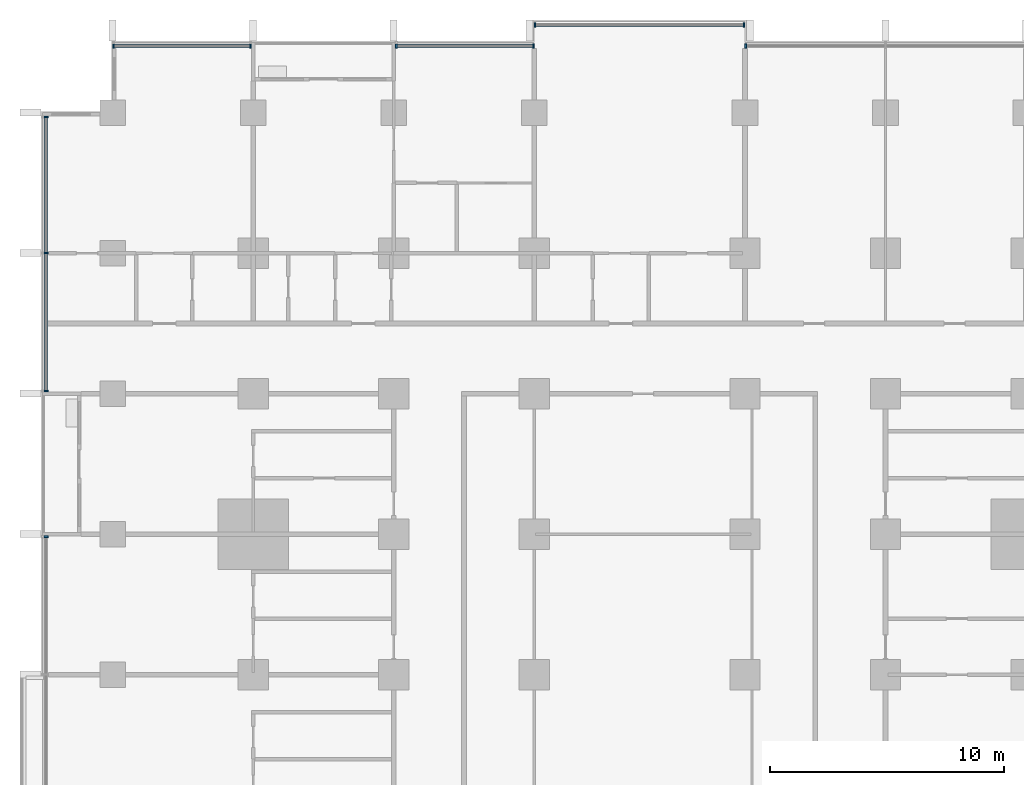
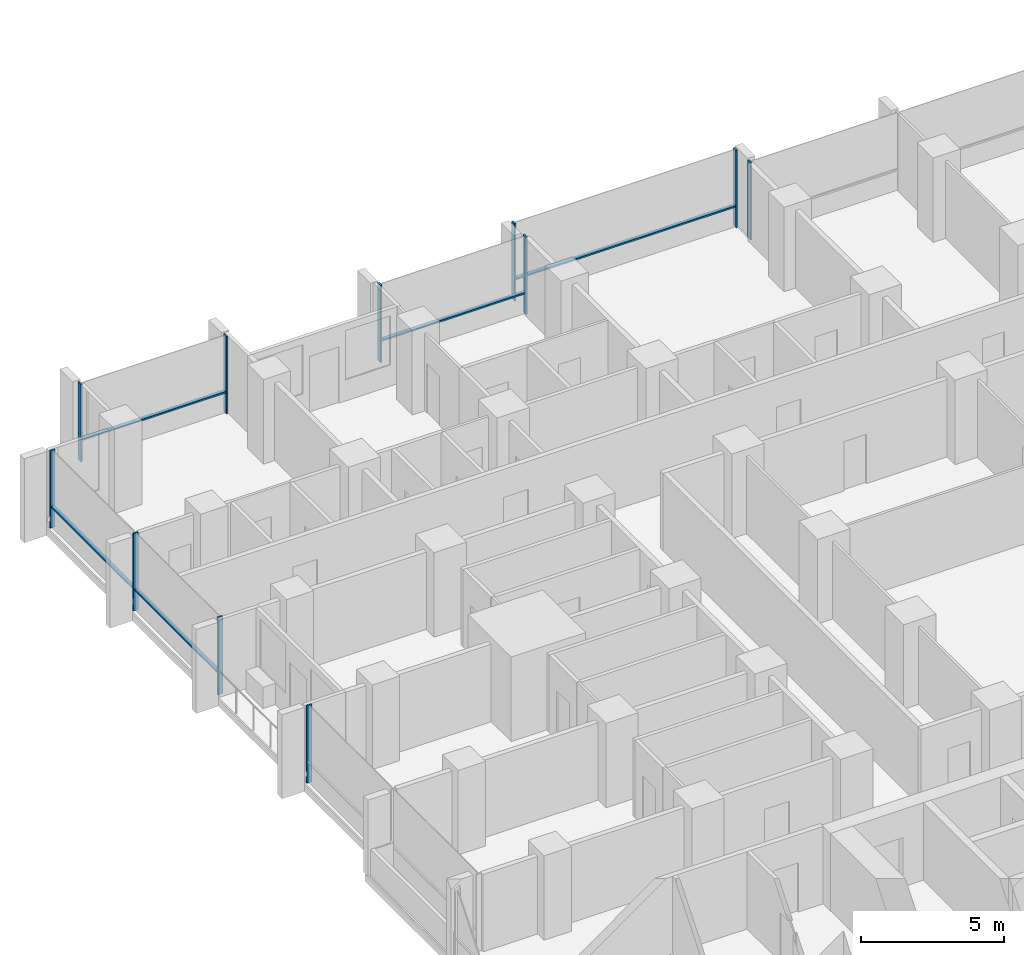
# One storey, part 4 of 17: 16 members, 6 elements without a shape of their own.
"""IFC4 building model written with IfcOpenShell, lengths in metres."""

from ifc_helpers import new_model, si_unit, direction, frame, origin, origin_2d, place, context, subcontext, project, spatial, rectangle, extrude, material, material_profile, profile_set, type_object, element, aggregate, save


model = new_model("IFC4")

# Units and contexts
model_context = context("Model", 3, precision=1e-05, world=origin(), true_north=direction((0.0, 1.0)))
body_context = subcontext(model_context, "Body", "Model", "MODEL_VIEW")
ifc_project = project(units=[si_unit("LENGTHUNIT", "METRE"), si_unit("AREAUNIT", "SQUARE_METRE"), si_unit("VOLUMEUNIT", "CUBIC_METRE"), si_unit("PLANEANGLEUNIT", "RADIAN"), si_unit("MASSUNIT", "GRAM", prefix="KILO")], contexts=[model_context])

# Site, building, storey
site_placement = place(None, origin())
site = spatial("IfcSite", under=ifc_project, at=site_placement, CompositionType="ELEMENT")
building_placement = place(site_placement, origin())
building = spatial("IfcBuilding", under=site, at=building_placement, Name="Finial Court Residences", CompositionType="ELEMENT")
storey_placement = place(building_placement, frame((0.0, 0.0, 61.300048828125)))
storey = spatial("IfcBuildingStorey", under=building, at=storey_placement, Name="L14", CompositionType="ELEMENT", Elevation=61.300048828125)

# Curtain wall, members
ifc_material = material(Name="Bronze anodised aluminium", Category="aluminium")
curtain_wall_type = type_object("IfcCurtainWallType", Name="Unitised curtain wall, lower and middle zones", PredefinedType="NOTDEFINED", material=ifc_material)
curtain_wall_1_placement = place(storey_placement, origin())
curtain_wall_1 = element("IfcCurtainWall", 1, at=curtain_wall_1_placement, inside=storey, type_object=curtain_wall_type, Name="E-L14-CW-N1", PredefinedType="NOTDEFINED")
ifc_material_profile_1 = material_profile(ifc_material, rectangle(XDim=0.199951171875, YDim=0.06494140625, at=origin_2d()), Name="CW1 mullion 65 x 200")
ifc_profile_set_1 = profile_set([ifc_material_profile_1], Name="Bronze anodised aluminium")
member_type_1 = type_object("IfcMemberType", Name="CW1 mullion 65 x 200", PredefinedType="MULLION", material=ifc_profile_set_1)
member_1_placement = place(storey_placement, frame((-22.467529296875, 28.35009765625, 0.0), z_axis=(0.0, 0.0, 1.0), x_axis=(0.0, 1.0, 0.0)))
member_1 = element("IfcMember", 2, at=member_1_placement, type_object=member_type_1, Name="CW1 mullion 1", PredefinedType="MULLION", context=body_context, shape_type="SweptSolid", body=[
    extrude(rectangle(XDim=0.199951171875, YDim=0.06494140625, at=origin_2d()), origin(), (0.0, 0.0, 1.0), 3.300048828125),
])
member_2_placement = place(storey_placement, frame((-16.607421875, 28.35009765625, 0.0), z_axis=(0.0, 0.0, 1.0), x_axis=(0.0, 1.0, 0.0)))
member_2 = element("IfcMember", 3, at=member_2_placement, type_object=member_type_1, Name="CW1 mullion 2", PredefinedType="MULLION", context=body_context, shape_type="SweptSolid", body=[
    extrude(rectangle(XDim=0.199951171875, YDim=0.06494140625, at=origin_2d()), origin(), (0.0, 0.0, 1.0), 3.300048828125),
])

curtain_wall_2_placement = place(storey_placement, origin())
curtain_wall_2 = element("IfcCurtainWall", 4, at=curtain_wall_2_placement, inside=storey, type_object=curtain_wall_type, Name="E-L14-CW-N2", PredefinedType="NOTDEFINED")
member_3_placement = place(storey_placement, frame((-10.392578125, 28.35009765625, 0.0), z_axis=(0.0, 0.0, 1.0), x_axis=(0.0, 1.0, 0.0)))
member_3 = element("IfcMember", 5, at=member_3_placement, type_object=member_type_1, Name="CW1 mullion 1", PredefinedType="MULLION", context=body_context, shape_type="SweptSolid", body=[
    extrude(rectangle(XDim=0.199951171875, YDim=0.06494140625, at=origin_2d()), origin(), (0.0, 0.0, 1.0), 3.300048828125),
])
member_4_placement = place(storey_placement, frame((-4.532470703125, 28.35009765625, 0.0), z_axis=(0.0, 0.0, 1.0), x_axis=(0.0, 1.0, 0.0)))
member_4 = element("IfcMember", 6, at=member_4_placement, type_object=member_type_1, Name="CW1 mullion 2", PredefinedType="MULLION", context=body_context, shape_type="SweptSolid", body=[
    extrude(rectangle(XDim=0.199951171875, YDim=0.06494140625, at=origin_2d()), origin(), (0.0, 0.0, 1.0), 3.300048828125),
])

curtain_wall_3_placement = place(storey_placement, origin())
curtain_wall_3 = element("IfcCurtainWall", 7, at=curtain_wall_3_placement, inside=storey, type_object=curtain_wall_type, Name="E-L14-CW-N3", PredefinedType="NOTDEFINED")
member_5_placement = place(storey_placement, frame((-4.467529296875, 29.25, 0.0), z_axis=(0.0, 0.0, 1.0), x_axis=(0.0, 1.0, 0.0)))
member_5 = element("IfcMember", 8, at=member_5_placement, type_object=member_type_1, Name="CW1 mullion 1", PredefinedType="MULLION", context=body_context, shape_type="SweptSolid", body=[
    extrude(rectangle(XDim=0.199951171875, YDim=0.06494140625, at=origin_2d()), origin(), (0.0, 0.0, 1.0), 3.300048828125),
])
member_6_placement = place(storey_placement, frame((4.467529296875, 29.25, 0.0), z_axis=(0.0, 0.0, 1.0), x_axis=(0.0, 1.0, 0.0)))
member_6 = element("IfcMember", 9, at=member_6_placement, type_object=member_type_1, Name="CW1 mullion 2", PredefinedType="MULLION", context=body_context, shape_type="SweptSolid", body=[
    extrude(rectangle(XDim=0.199951171875, YDim=0.06494140625, at=origin_2d()), origin(), (0.0, 0.0, 1.0), 3.300048828125),
])

# Curtain wall, member
curtain_wall_4_placement = place(storey_placement, origin())
curtain_wall_4 = element("IfcCurtainWall", 10, at=curtain_wall_4_placement, inside=storey, type_object=curtain_wall_type, Name="E-L14-CW-N4", PredefinedType="NOTDEFINED")
member_7_placement = place(storey_placement, frame((4.532470703125, 28.35009765625, 0.0), z_axis=(0.0, 0.0, 1.0), x_axis=(0.0, 1.0, 0.0)))
member_7 = element("IfcMember", 11, at=member_7_placement, type_object=member_type_1, Name="CW1 mullion 1", PredefinedType="MULLION", context=body_context, shape_type="SweptSolid", body=[
    extrude(rectangle(XDim=0.199951171875, YDim=0.06494140625, at=origin_2d()), origin(), (0.0, 0.0, 1.0), 3.300048828125),
])
aggregate(curtain_wall_4, [member_7])

curtain_wall_5_placement = place(storey_placement, origin())
curtain_wall_5 = element("IfcCurtainWall", 12, at=curtain_wall_5_placement, inside=storey, type_object=curtain_wall_type, Name="E-L14-CW-W12", PredefinedType="NOTDEFINED")
member_8_placement = place(storey_placement, frame((-25.35009765625, 7.392578125, 0.0), z_axis=(0.0, 0.0, 1.0), x_axis=(-1.0, 0.0, 0.0)))
member_8 = element("IfcMember", 13, at=member_8_placement, type_object=member_type_1, Name="CW1 mullion 3", PredefinedType="MULLION", context=body_context, shape_type="SweptSolid", body=[
    extrude(rectangle(XDim=0.199951171875, YDim=0.06494140625, at=origin_2d()), origin(), (0.0, 0.0, 1.0), 3.300048828125),
])
aggregate(curtain_wall_5, [member_8])

# Curtain wall, members
curtain_wall_6_placement = place(storey_placement, origin())
curtain_wall_6 = element("IfcCurtainWall", 14, at=curtain_wall_6_placement, inside=storey, type_object=curtain_wall_type, Name="E-L14-CW-W13", PredefinedType="NOTDEFINED")
member_9_placement = place(storey_placement, frame((-25.35009765625, 13.607421875, 0.0), z_axis=(0.0, 0.0, 1.0), x_axis=(-1.0, 0.0, 0.0)))
member_9 = element("IfcMember", 15, at=member_9_placement, type_object=member_type_1, Name="CW1 mullion 1", PredefinedType="MULLION", context=body_context, shape_type="SweptSolid", body=[
    extrude(rectangle(XDim=0.199951171875, YDim=0.06494140625, at=origin_2d()), origin(), (0.0, 0.0, 1.0), 3.300048828125),
])
member_10_placement = place(storey_placement, frame((-25.35009765625, 19.5, 0.0), z_axis=(0.0, 0.0, 1.0), x_axis=(-1.0, 0.0, 0.0)))
member_10 = element("IfcMember", 16, at=member_10_placement, type_object=member_type_1, Name="CW1 mullion 2", PredefinedType="MULLION", context=body_context, shape_type="SweptSolid", body=[
    extrude(rectangle(XDim=0.199951171875, YDim=0.06494140625, at=origin_2d()), origin(), (0.0, 0.0, 1.0), 3.300048828125),
])
member_11_placement = place(storey_placement, frame((-25.35009765625, 25.3173828125, 0.0), z_axis=(0.0, 0.0, 1.0), x_axis=(-1.0, 0.0, 0.0)))
member_11 = element("IfcMember", 17, at=member_11_placement, type_object=member_type_1, Name="CW1 mullion 3", PredefinedType="MULLION", context=body_context, shape_type="SweptSolid", body=[
    extrude(rectangle(XDim=0.199951171875, YDim=0.06494140625, at=origin_2d()), origin(), (0.0, 0.0, 1.0), 3.300048828125),
])

# Member
ifc_material_profile_2 = material_profile(ifc_material, rectangle(XDim=0.14990234375, YDim=0.06494140625, at=origin_2d()), Name="CW1 transom 65 x 150")
ifc_profile_set_2 = profile_set([ifc_material_profile_2], Name="Bronze anodised aluminium")
member_type_2 = type_object("IfcMemberType", Name="CW1 transom 65 x 150", PredefinedType="USERDEFINED", material=ifc_profile_set_2)
member_12_placement = place(storey_placement, frame((-22.43505859375, 28.35009765625, 0.89990234375), z_axis=(1.0, 0.0, 0.0), x_axis=(0.0, 1.0, 0.0)))
member_12 = element("IfcMember", 18, at=member_12_placement, type_object=member_type_2, Name="CW1 transom 1.1", ObjectType="TRANSOM", PredefinedType="USERDEFINED", context=body_context, shape_type="SweptSolid", body=[
    extrude(rectangle(XDim=0.14990234375, YDim=0.06494140625, at=origin_2d()), origin(), (0.0, 0.0, 1.0), 5.795166015625),
])

aggregate(curtain_wall_1, [member_1, member_2, member_12])

member_13_placement = place(storey_placement, frame((-10.360107421875, 28.35009765625, 0.89990234375), z_axis=(1.0, 0.0, 0.0), x_axis=(0.0, 1.0, 0.0)))
member_13 = element("IfcMember", 19, at=member_13_placement, type_object=member_type_2, Name="CW1 transom 1.1", ObjectType="TRANSOM", PredefinedType="USERDEFINED", context=body_context, shape_type="SweptSolid", body=[
    extrude(rectangle(XDim=0.14990234375, YDim=0.06494140625, at=origin_2d()), origin(), (0.0, 0.0, 1.0), 5.795166015625),
])

aggregate(curtain_wall_2, [member_3, member_4, member_13])

member_14_placement = place(storey_placement, frame((-4.43505859375, 29.25, 0.89990234375), z_axis=(1.0, 0.0, 0.0), x_axis=(0.0, 1.0, 0.0)))
member_14 = element("IfcMember", 20, at=member_14_placement, type_object=member_type_2, Name="CW1 transom 1.1", ObjectType="TRANSOM", PredefinedType="USERDEFINED", context=body_context, shape_type="SweptSolid", body=[
    extrude(rectangle(XDim=0.14990234375, YDim=0.06494140625, at=origin_2d()), origin(), (0.0, 0.0, 1.0), 8.8701171875),
])

aggregate(curtain_wall_3, [member_5, member_6, member_14])

member_15_placement = place(storey_placement, frame((-25.35009765625, 13.639892578125, 0.89990234375), z_axis=(0.0, 1.0, 0.0), x_axis=(-1.0, 0.0, 0.0)))
member_15 = element("IfcMember", 21, at=member_15_placement, type_object=member_type_2, Name="CW1 transom 1.1", ObjectType="TRANSOM", PredefinedType="USERDEFINED", context=body_context, shape_type="SweptSolid", body=[
    extrude(rectangle(XDim=0.14990234375, YDim=0.06494140625, at=origin_2d()), origin(), (0.0, 0.0, 1.0), 5.82763671875),
])

member_16_placement = place(storey_placement, frame((-25.35009765625, 19.532470703125, 0.89990234375), z_axis=(0.0, 1.0, 0.0), x_axis=(-1.0, 0.0, 0.0)))
member_16 = element("IfcMember", 22, at=member_16_placement, type_object=member_type_2, Name="CW1 transom 2.1", ObjectType="TRANSOM", PredefinedType="USERDEFINED", context=body_context, shape_type="SweptSolid", body=[
    extrude(rectangle(XDim=0.14990234375, YDim=0.06494140625, at=origin_2d()), origin(), (0.0, 0.0, 1.0), 5.75244140625),
])

aggregate(curtain_wall_6, [member_9, member_10, member_11, member_15, member_16])

save(model, "model.ifc")
